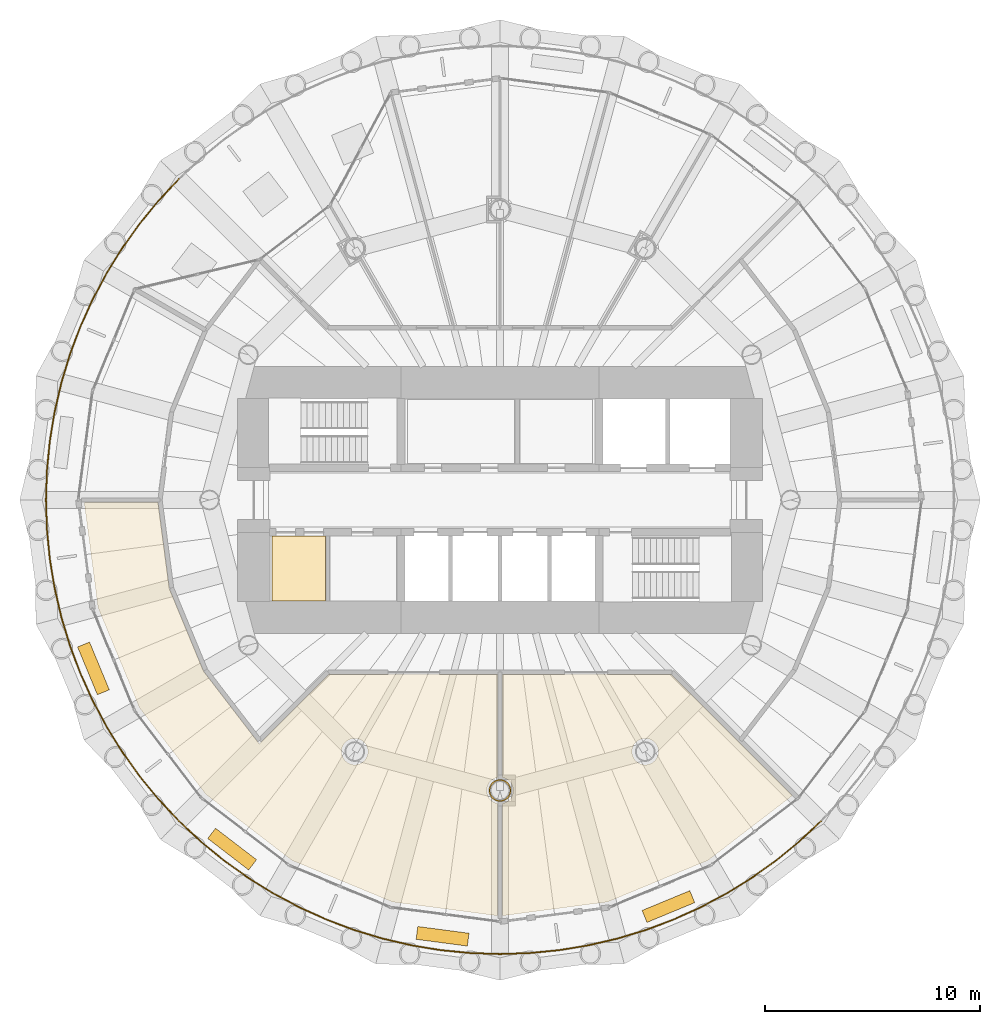
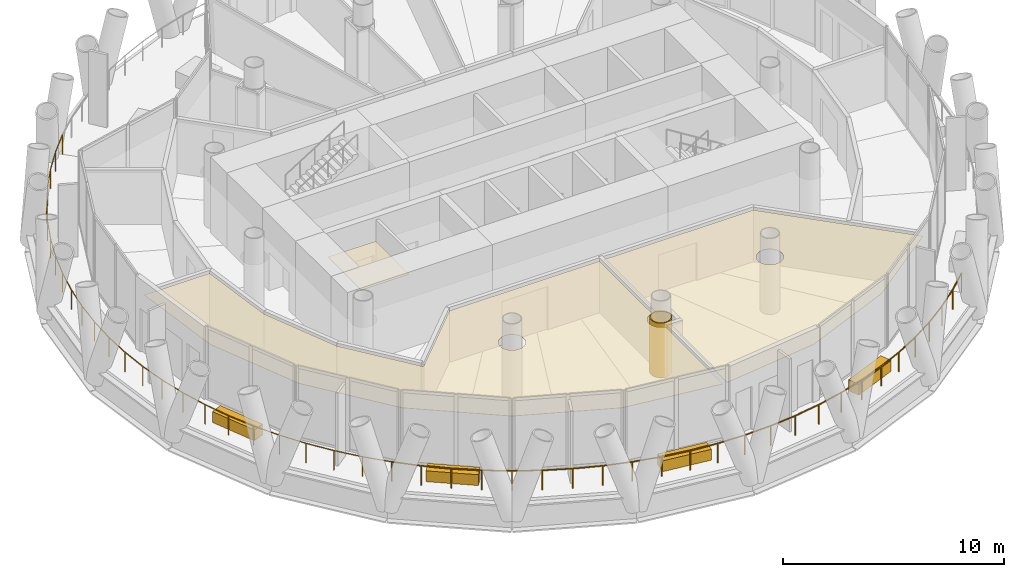
# One storey, part 12 of 14: 8 coverings, 2 railings.
"""IFC4 building model written with IfcOpenShell, lengths in metres."""

from ifc_helpers import new_model, si_unit, direction, frame, origin, origin_2d, place, context, subcontext, project, spatial, polyline, rectangle, circle, outline, extrude, material, layer, layer_set, type_object, element, save


model = new_model("IFC4")

# Units and contexts
model_context = context("Model", 3, precision=1e-05, world=origin(), true_north=direction((0.0, 1.0)))
body_context = subcontext(model_context, "Body", "Model", "MODEL_VIEW")
ifc_project = project(units=[si_unit("LENGTHUNIT", "METRE"), si_unit("AREAUNIT", "SQUARE_METRE"), si_unit("VOLUMEUNIT", "CUBIC_METRE"), si_unit("PLANEANGLEUNIT", "RADIAN"), si_unit("MASSUNIT", "GRAM", prefix="KILO")], contexts=[model_context])

# Site, building, storey
site_placement = place(None, origin())
site = spatial("IfcSite", under=ifc_project, at=site_placement, CompositionType="ELEMENT")
building_placement = place(site_placement, origin())
building = spatial("IfcBuilding", under=site, at=building_placement, Name="Qaws Media Tower", CompositionType="ELEMENT")
storey_placement = place(building_placement, frame((0.0, 0.0, 261.199951171875)))
storey = spatial("IfcBuildingStorey", under=building, at=storey_placement, Name="L60", CompositionType="ELEMENT", Elevation=261.199951171875)

# Railings
ifc_material_1 = material(Name="Stainless steel and glass guard", Category="steel")
railing_type = type_object("IfcRailingType", Name="Balcony guard 1100", PredefinedType="GUARDRAIL", material=ifc_material_1)
railing_1_placement = place(storey_placement, frame((45.080078125, 64.919921875, 0.0)))
element("IfcRailing", 1, at=railing_1_placement, inside=storey, type_object=railing_type, Name="GR1 balcony guard L60-2", PredefinedType="GUARDRAIL", context=body_context, shape_type="SweptSolid", body=[
    extrude(circle(Radius=0.02392578125, at=origin_2d()), frame((0.0, 0.0, 1.076171875), z_axis=(-0.683564617913, -0.72989000071, 0.0), x_axis=(0.72989000071, -0.683564617913, 0.0)), (0.0, 0.0, 1.0), 1.380859375),
    extrude(circle(Radius=0.02392578125, at=origin_2d()), frame((-0.94384765625, -1.0078125, 1.076171875), z_axis=(-0.634479187344, -0.772939946456, 0.0), x_axis=(0.772939946456, -0.634479187344, 0.0)), (0.0, 0.0, 1.0), 1.380615234375),
    extrude(circle(Radius=0.02392578125, at=origin_2d()), frame((-1.81982421875, -2.074951171875, 1.076171875), z_axis=(-0.582374871687, -0.812920358232, 0.0), x_axis=(0.812920358232, -0.582374871687, 0.0)), (0.0, 0.0, 1.0), 1.380859375),
    extrude(circle(Radius=0.02392578125, at=origin_2d()), frame((-2.6240234375, -3.197509765625, 1.076171875), z_axis=(-0.528185738037, -0.849128863091, 0.0), x_axis=(0.849128863091, -0.528185738037, 0.0)), (0.0, 0.0, 1.0), 1.380615234375),
    extrude(circle(Radius=0.02392578125, at=origin_2d()), frame((-3.353271484375, -4.369873046875, 1.076171875), z_axis=(-0.471377271187, -0.881931668673, 0.0), x_axis=(0.881931668673, -0.471377271187, 0.0)), (0.0, 0.0, 1.0), 1.380859375),
    extrude(circle(Radius=0.02392578125, at=origin_2d()), frame((-4.004150390625, -5.587646484375, 1.076171875), z_axis=(-0.412723500138, -0.91085636213, 0.0), x_axis=(0.91085636213, -0.412723500138, 0.0)), (0.0, 0.0, 1.0), 1.380615234375),
    extrude(circle(Radius=0.02392578125, at=origin_2d()), frame((-4.573974609375, -6.84521484375, 1.076171875), z_axis=(-0.352227723901, -0.935914328619, 0.0), x_axis=(0.935914328619, -0.352227723901, 0.0)), (0.0, 0.0, 1.0), 1.380615234375),
    extrude(circle(Radius=0.02392578125, at=origin_2d()), frame((-5.060302734375, -8.137451171875, 1.076171875), z_axis=(-0.290331268033, -0.956926201336, 0.0), x_axis=(0.956926201336, -0.290331268033, 0.0)), (0.0, 0.0, 1.0), 1.380859375),
    extrude(circle(Radius=0.02392578125, at=origin_2d()), frame((-5.461181640625, -9.458740234375, 1.076171875), z_axis=(-0.22702839004, -0.973888140453, 0.0), x_axis=(0.973888140453, -0.22702839004, 0.0)), (0.0, 0.0, 1.0), 1.380859375),
    extrude(circle(Radius=0.02392578125, at=origin_2d()), frame((-5.774658203125, -10.803466796875, 1.076171875), z_axis=(-0.162850422616, -0.986650768942, 0.0), x_axis=(0.986650768942, -0.162850422616, 0.0)), (0.0, 0.0, 1.0), 1.380615234375),
    extrude(circle(Radius=0.02392578125, at=origin_2d()), frame((-5.99951171875, -12.165771484375, 1.076171875), z_axis=(-0.098138043759, -0.995172811308, 0.0), x_axis=(0.995172811308, -0.098138043759, 0.0)), (0.0, 0.0, 1.0), 1.380615234375),
    extrude(circle(Radius=0.02392578125, at=origin_2d()), frame((-6.135009765625, -13.539794921875, 1.076171875), z_axis=(-0.032708475661, -0.999464934663, 0.0), x_axis=(0.999464934663, -0.032708475661, 0.0)), (0.0, 0.0, 1.0), 1.380859375),
    extrude(circle(Radius=0.02392578125, at=origin_2d()), frame((-6.18017578125, -14.919921875, 1.076171875), z_axis=(0.032708475661, -0.999464934663, 0.0), x_axis=(0.999464934663, 0.032708475661, 0.0)), (0.0, 0.0, 1.0), 1.380859375),
    extrude(circle(Radius=0.02392578125, at=origin_2d()), frame((-6.135009765625, -16.300048828125, 1.076171875), z_axis=(0.098138043759, -0.995172811308, 0.0), x_axis=(0.995172811308, 0.098138043759, 0.0)), (0.0, 0.0, 1.0), 1.380615234375),
    extrude(circle(Radius=0.02392578125, at=origin_2d()), frame((-5.99951171875, -17.674072265625, 1.076171875), z_axis=(0.162850422616, -0.986650768942, 0.0), x_axis=(0.986650768942, 0.162850422616, 0.0)), (0.0, 0.0, 1.0), 1.380615234375),
    extrude(circle(Radius=0.02392578125, at=origin_2d()), frame((-5.774658203125, -19.036376953125, 1.076171875), z_axis=(0.22702839004, -0.973888140453, 0.0), x_axis=(0.973888140453, 0.22702839004, 0.0)), (0.0, 0.0, 1.0), 1.380859375),
    extrude(circle(Radius=0.02392578125, at=origin_2d()), frame((-5.461181640625, -20.381103515625, 1.076171875), z_axis=(0.290331268033, -0.956926201336, 0.0), x_axis=(0.956926201336, 0.290331268033, 0.0)), (0.0, 0.0, 1.0), 1.380859375),
    extrude(circle(Radius=0.02392578125, at=origin_2d()), frame((-5.060302734375, -21.702392578125, 1.076171875), z_axis=(0.352227723901, -0.935914328619, 0.0), x_axis=(0.935914328619, 0.352227723901, 0.0)), (0.0, 0.0, 1.0), 1.380615234375),
    extrude(circle(Radius=0.02392578125, at=origin_2d()), frame((-4.573974609375, -22.99462890625, 1.076171875), z_axis=(0.412723500138, -0.91085636213, 0.0), x_axis=(0.91085636213, 0.412723500138, 0.0)), (0.0, 0.0, 1.0), 1.380615234375),
    extrude(circle(Radius=0.02392578125, at=origin_2d()), frame((-4.004150390625, -24.252197265625, 1.076171875), z_axis=(0.471377271187, -0.881931668673, 0.0), x_axis=(0.881931668673, 0.471377271187, 0.0)), (0.0, 0.0, 1.0), 1.380859375),
    extrude(circle(Radius=0.02392578125, at=origin_2d()), frame((-3.353271484375, -25.469970703125, 1.076171875), z_axis=(0.528185738037, -0.849128863091, 0.0), x_axis=(0.849128863091, 0.528185738037, 0.0)), (0.0, 0.0, 1.0), 1.380615234375),
    extrude(circle(Radius=0.02392578125, at=origin_2d()), frame((-2.6240234375, -26.642333984375, 1.076171875), z_axis=(0.582374871687, -0.812920358232, 0.0), x_axis=(0.812920358232, 0.582374871687, 0.0)), (0.0, 0.0, 1.0), 1.380859375),
    extrude(circle(Radius=0.02392578125, at=origin_2d()), frame((-1.81982421875, -27.764892578125, 1.076171875), z_axis=(0.634479187344, -0.772939946456, 0.0), x_axis=(0.772939946456, 0.634479187344, 0.0)), (0.0, 0.0, 1.0), 1.380615234375),
    extrude(circle(Radius=0.02392578125, at=origin_2d()), frame((-0.94384765625, -28.83203125, 1.076171875), z_axis=(0.683564617913, -0.72989000071, 0.0), x_axis=(0.72989000071, 0.683564617913, 0.0)), (0.0, 0.0, 1.0), 1.380859375),
    extrude(circle(Radius=0.02099609375, at=origin_2d()), origin(), (0.0, 0.0, 1.0), 1.052001953125),
    extrude(circle(Radius=0.02099609375, at=origin_2d()), frame((-0.94384765625, -1.0078125, 0.0)), (0.0, 0.0, 1.0), 1.052001953125),
    extrude(circle(Radius=0.02099609375, at=origin_2d()), frame((-1.81982421875, -2.074951171875, 0.0)), (0.0, 0.0, 1.0), 1.052001953125),
    extrude(circle(Radius=0.02099609375, at=origin_2d()), frame((-2.6240234375, -3.197509765625, 0.0)), (0.0, 0.0, 1.0), 1.052001953125),
    extrude(circle(Radius=0.02099609375, at=origin_2d()), frame((-3.353271484375, -4.369873046875, 0.0)), (0.0, 0.0, 1.0), 1.052001953125),
    extrude(circle(Radius=0.02099609375, at=origin_2d()), frame((-4.004150390625, -5.587646484375, 0.0)), (0.0, 0.0, 1.0), 1.052001953125),
    extrude(circle(Radius=0.02099609375, at=origin_2d()), frame((-4.573974609375, -6.84521484375, 0.0)), (0.0, 0.0, 1.0), 1.052001953125),
    extrude(circle(Radius=0.02099609375, at=origin_2d()), frame((-5.060302734375, -8.137451171875, 0.0)), (0.0, 0.0, 1.0), 1.052001953125),
    extrude(circle(Radius=0.02099609375, at=origin_2d()), frame((-5.461181640625, -9.458740234375, 0.0)), (0.0, 0.0, 1.0), 1.052001953125),
    extrude(circle(Radius=0.02099609375, at=origin_2d()), frame((-5.774658203125, -10.803466796875, 0.0)), (0.0, 0.0, 1.0), 1.052001953125),
    extrude(circle(Radius=0.02099609375, at=origin_2d()), frame((-5.99951171875, -12.165771484375, 0.0)), (0.0, 0.0, 1.0), 1.052001953125),
    extrude(circle(Radius=0.02099609375, at=origin_2d()), frame((-6.135009765625, -13.539794921875, 0.0)), (0.0, 0.0, 1.0), 1.052001953125),
    extrude(circle(Radius=0.02099609375, at=origin_2d()), frame((-6.18017578125, -14.919921875, 0.0)), (0.0, 0.0, 1.0), 1.052001953125),
    extrude(circle(Radius=0.02099609375, at=origin_2d()), frame((-6.135009765625, -16.300048828125, 0.0)), (0.0, 0.0, 1.0), 1.052001953125),
    extrude(circle(Radius=0.02099609375, at=origin_2d()), frame((-5.99951171875, -17.674072265625, 0.0)), (0.0, 0.0, 1.0), 1.052001953125),
    extrude(circle(Radius=0.02099609375, at=origin_2d()), frame((-5.774658203125, -19.036376953125, 0.0)), (0.0, 0.0, 1.0), 1.052001953125),
    extrude(circle(Radius=0.02099609375, at=origin_2d()), frame((-5.461181640625, -20.381103515625, 0.0)), (0.0, 0.0, 1.0), 1.052001953125),
    extrude(circle(Radius=0.02099609375, at=origin_2d()), frame((-5.060302734375, -21.702392578125, 0.0)), (0.0, 0.0, 1.0), 1.052001953125),
    extrude(circle(Radius=0.02099609375, at=origin_2d()), frame((-4.573974609375, -22.99462890625, 0.0)), (0.0, 0.0, 1.0), 1.052001953125),
    extrude(circle(Radius=0.02099609375, at=origin_2d()), frame((-4.004150390625, -24.252197265625, 0.0)), (0.0, 0.0, 1.0), 1.052001953125),
    extrude(circle(Radius=0.02099609375, at=origin_2d()), frame((-3.353271484375, -25.469970703125, 0.0)), (0.0, 0.0, 1.0), 1.052001953125),
    extrude(circle(Radius=0.02099609375, at=origin_2d()), frame((-2.6240234375, -26.642333984375, 0.0)), (0.0, 0.0, 1.0), 1.052001953125),
    extrude(circle(Radius=0.02099609375, at=origin_2d()), frame((-1.81982421875, -27.764892578125, 0.0)), (0.0, 0.0, 1.0), 1.052001953125),
    extrude(circle(Radius=0.02099609375, at=origin_2d()), frame((-0.94384765625, -28.83203125, 0.0)), (0.0, 0.0, 1.0), 1.052001953125),
    extrude(circle(Radius=0.02099609375, at=origin_2d()), frame((0.0, -29.83984375, 0.0)), (0.0, 0.0, 1.0), 1.052001953125),
])
railing_2_placement = place(storey_placement, frame((45.080078125, 35.080078125, 0.0)))
element("IfcRailing", 2, at=railing_2_placement, inside=storey, type_object=railing_type, Name="GR1 balcony guard L60-3", PredefinedType="GUARDRAIL", context=body_context, shape_type="SweptSolid", body=[
    extrude(circle(Radius=0.02392578125, at=origin_2d()), frame((0.0, 0.0, 1.076171875), z_axis=(0.72989000071, -0.683564617913, 0.0), x_axis=(0.683564617913, 0.72989000071, 0.0)), (0.0, 0.0, 1.0), 1.380859375),
    extrude(circle(Radius=0.02392578125, at=origin_2d()), frame((1.0078125, -0.94384765625, 1.076171875), z_axis=(0.772939946456, -0.634479187344, 0.0), x_axis=(0.634479187344, 0.772939946456, 0.0)), (0.0, 0.0, 1.0), 1.380615234375),
    extrude(circle(Radius=0.02392578125, at=origin_2d()), frame((2.074951171875, -1.81982421875, 1.076171875), z_axis=(0.812920358232, -0.582374871687, 0.0), x_axis=(0.582374871687, 0.812920358232, 0.0)), (0.0, 0.0, 1.0), 1.380859375),
    extrude(circle(Radius=0.02392578125, at=origin_2d()), frame((3.197509765625, -2.6240234375, 1.076171875), z_axis=(0.849128863091, -0.528185738037, 0.0), x_axis=(0.528185738037, 0.849128863091, 0.0)), (0.0, 0.0, 1.0), 1.380615234375),
    extrude(circle(Radius=0.02392578125, at=origin_2d()), frame((4.369873046875, -3.353271484375, 1.076171875), z_axis=(0.881931668673, -0.471377271187, 0.0), x_axis=(0.471377271187, 0.881931668673, 0.0)), (0.0, 0.0, 1.0), 1.380859375),
    extrude(circle(Radius=0.02392578125, at=origin_2d()), frame((5.587646484375, -4.004150390625, 1.076171875), z_axis=(0.91085636213, -0.412723500138, 0.0), x_axis=(0.412723500138, 0.91085636213, 0.0)), (0.0, 0.0, 1.0), 1.380615234375),
    extrude(circle(Radius=0.02392578125, at=origin_2d()), frame((6.84521484375, -4.573974609375, 1.076171875), z_axis=(0.935914328619, -0.352227723901, 0.0), x_axis=(0.352227723901, 0.935914328619, 0.0)), (0.0, 0.0, 1.0), 1.380615234375),
    extrude(circle(Radius=0.02392578125, at=origin_2d()), frame((8.137451171875, -5.060302734375, 1.076171875), z_axis=(0.956926201336, -0.290331268033, 0.0), x_axis=(0.290331268033, 0.956926201336, 0.0)), (0.0, 0.0, 1.0), 1.380859375),
    extrude(circle(Radius=0.02392578125, at=origin_2d()), frame((9.458740234375, -5.461181640625, 1.076171875), z_axis=(0.973888140453, -0.22702839004, 0.0), x_axis=(0.22702839004, 0.973888140453, 0.0)), (0.0, 0.0, 1.0), 1.380859375),
    extrude(circle(Radius=0.02392578125, at=origin_2d()), frame((10.803466796875, -5.774658203125, 1.076171875), z_axis=(0.986650768942, -0.162850422616, 0.0), x_axis=(0.162850422616, 0.986650768942, 0.0)), (0.0, 0.0, 1.0), 1.380615234375),
    extrude(circle(Radius=0.02392578125, at=origin_2d()), frame((12.165771484375, -5.99951171875, 1.076171875), z_axis=(0.995172811308, -0.098138043759, 0.0), x_axis=(0.098138043759, 0.995172811308, 0.0)), (0.0, 0.0, 1.0), 1.380615234375),
    extrude(circle(Radius=0.02392578125, at=origin_2d()), frame((13.539794921875, -6.135009765625, 1.076171875), z_axis=(0.999464934663, -0.032708475661, 0.0), x_axis=(0.032708475661, 0.999464934663, 0.0)), (0.0, 0.0, 1.0), 1.380859375),
    extrude(circle(Radius=0.02392578125, at=origin_2d()), frame((14.919921875, -6.18017578125, 1.076171875), z_axis=(0.999464934663, 0.032708475661, 0.0), x_axis=(-0.032708475661, 0.999464934663, 0.0)), (0.0, 0.0, 1.0), 1.380859375),
    extrude(circle(Radius=0.02392578125, at=origin_2d()), frame((16.300048828125, -6.135009765625, 1.076171875), z_axis=(0.995172811308, 0.098138043759, 0.0), x_axis=(-0.098138043759, 0.995172811308, 0.0)), (0.0, 0.0, 1.0), 1.380615234375),
    extrude(circle(Radius=0.02392578125, at=origin_2d()), frame((17.674072265625, -5.99951171875, 1.076171875), z_axis=(0.986650768942, 0.162850422616, 0.0), x_axis=(-0.162850422616, 0.986650768942, 0.0)), (0.0, 0.0, 1.0), 1.380615234375),
    extrude(circle(Radius=0.02392578125, at=origin_2d()), frame((19.036376953125, -5.774658203125, 1.076171875), z_axis=(0.973888140453, 0.22702839004, 0.0), x_axis=(-0.22702839004, 0.973888140453, 0.0)), (0.0, 0.0, 1.0), 1.380859375),
    extrude(circle(Radius=0.02392578125, at=origin_2d()), frame((20.381103515625, -5.461181640625, 1.076171875), z_axis=(0.956926201336, 0.290331268033, 0.0), x_axis=(-0.290331268033, 0.956926201336, 0.0)), (0.0, 0.0, 1.0), 1.380859375),
    extrude(circle(Radius=0.02392578125, at=origin_2d()), frame((21.702392578125, -5.060302734375, 1.076171875), z_axis=(0.935914328619, 0.352227723901, 0.0), x_axis=(-0.352227723901, 0.935914328619, 0.0)), (0.0, 0.0, 1.0), 1.380615234375),
    extrude(circle(Radius=0.02392578125, at=origin_2d()), frame((22.99462890625, -4.573974609375, 1.076171875), z_axis=(0.91085636213, 0.412723500138, 0.0), x_axis=(-0.412723500138, 0.91085636213, 0.0)), (0.0, 0.0, 1.0), 1.380615234375),
    extrude(circle(Radius=0.02392578125, at=origin_2d()), frame((24.252197265625, -4.004150390625, 1.076171875), z_axis=(0.881931668673, 0.471377271187, 0.0), x_axis=(-0.471377271187, 0.881931668673, 0.0)), (0.0, 0.0, 1.0), 1.380859375),
    extrude(circle(Radius=0.02392578125, at=origin_2d()), frame((25.469970703125, -3.353271484375, 1.076171875), z_axis=(0.849128863091, 0.528185738037, 0.0), x_axis=(-0.528185738037, 0.849128863091, 0.0)), (0.0, 0.0, 1.0), 1.380615234375),
    extrude(circle(Radius=0.02392578125, at=origin_2d()), frame((26.642333984375, -2.6240234375, 1.076171875), z_axis=(0.812920358232, 0.582374871687, 0.0), x_axis=(-0.582374871687, 0.812920358232, 0.0)), (0.0, 0.0, 1.0), 1.380859375),
    extrude(circle(Radius=0.02392578125, at=origin_2d()), frame((27.764892578125, -1.81982421875, 1.076171875), z_axis=(0.772939946456, 0.634479187344, 0.0), x_axis=(-0.634479187344, 0.772939946456, 0.0)), (0.0, 0.0, 1.0), 1.380615234375),
    extrude(circle(Radius=0.02392578125, at=origin_2d()), frame((28.83203125, -0.94384765625, 1.076171875), z_axis=(0.72989000071, 0.683564617913, 0.0), x_axis=(-0.683564617913, 0.72989000071, 0.0)), (0.0, 0.0, 1.0), 1.380859375),
    extrude(circle(Radius=0.02099609375, at=origin_2d()), origin(), (0.0, 0.0, 1.0), 1.052001953125),
    extrude(circle(Radius=0.02099609375, at=origin_2d()), frame((1.0078125, -0.94384765625, 0.0)), (0.0, 0.0, 1.0), 1.052001953125),
    extrude(circle(Radius=0.02099609375, at=origin_2d()), frame((2.074951171875, -1.81982421875, 0.0)), (0.0, 0.0, 1.0), 1.052001953125),
    extrude(circle(Radius=0.02099609375, at=origin_2d()), frame((3.197509765625, -2.6240234375, 0.0)), (0.0, 0.0, 1.0), 1.052001953125),
    extrude(circle(Radius=0.02099609375, at=origin_2d()), frame((4.369873046875, -3.353271484375, 0.0)), (0.0, 0.0, 1.0), 1.052001953125),
    extrude(circle(Radius=0.02099609375, at=origin_2d()), frame((5.587646484375, -4.004150390625, 0.0)), (0.0, 0.0, 1.0), 1.052001953125),
    extrude(circle(Radius=0.02099609375, at=origin_2d()), frame((6.84521484375, -4.573974609375, 0.0)), (0.0, 0.0, 1.0), 1.052001953125),
    extrude(circle(Radius=0.02099609375, at=origin_2d()), frame((8.137451171875, -5.060302734375, 0.0)), (0.0, 0.0, 1.0), 1.052001953125),
    extrude(circle(Radius=0.02099609375, at=origin_2d()), frame((9.458740234375, -5.461181640625, 0.0)), (0.0, 0.0, 1.0), 1.052001953125),
    extrude(circle(Radius=0.02099609375, at=origin_2d()), frame((10.803466796875, -5.774658203125, 0.0)), (0.0, 0.0, 1.0), 1.052001953125),
    extrude(circle(Radius=0.02099609375, at=origin_2d()), frame((12.165771484375, -5.99951171875, 0.0)), (0.0, 0.0, 1.0), 1.052001953125),
    extrude(circle(Radius=0.02099609375, at=origin_2d()), frame((13.539794921875, -6.135009765625, 0.0)), (0.0, 0.0, 1.0), 1.052001953125),
    extrude(circle(Radius=0.02099609375, at=origin_2d()), frame((14.919921875, -6.18017578125, 0.0)), (0.0, 0.0, 1.0), 1.052001953125),
    extrude(circle(Radius=0.02099609375, at=origin_2d()), frame((16.300048828125, -6.135009765625, 0.0)), (0.0, 0.0, 1.0), 1.052001953125),
    extrude(circle(Radius=0.02099609375, at=origin_2d()), frame((17.674072265625, -5.99951171875, 0.0)), (0.0, 0.0, 1.0), 1.052001953125),
    extrude(circle(Radius=0.02099609375, at=origin_2d()), frame((19.036376953125, -5.774658203125, 0.0)), (0.0, 0.0, 1.0), 1.052001953125),
    extrude(circle(Radius=0.02099609375, at=origin_2d()), frame((20.381103515625, -5.461181640625, 0.0)), (0.0, 0.0, 1.0), 1.052001953125),
    extrude(circle(Radius=0.02099609375, at=origin_2d()), frame((21.702392578125, -5.060302734375, 0.0)), (0.0, 0.0, 1.0), 1.052001953125),
    extrude(circle(Radius=0.02099609375, at=origin_2d()), frame((22.99462890625, -4.573974609375, 0.0)), (0.0, 0.0, 1.0), 1.052001953125),
    extrude(circle(Radius=0.02099609375, at=origin_2d()), frame((24.252197265625, -4.004150390625, 0.0)), (0.0, 0.0, 1.0), 1.052001953125),
    extrude(circle(Radius=0.02099609375, at=origin_2d()), frame((25.469970703125, -3.353271484375, 0.0)), (0.0, 0.0, 1.0), 1.052001953125),
    extrude(circle(Radius=0.02099609375, at=origin_2d()), frame((26.642333984375, -2.6240234375, 0.0)), (0.0, 0.0, 1.0), 1.052001953125),
    extrude(circle(Radius=0.02099609375, at=origin_2d()), frame((27.764892578125, -1.81982421875, 0.0)), (0.0, 0.0, 1.0), 1.052001953125),
    extrude(circle(Radius=0.02099609375, at=origin_2d()), frame((28.83203125, -0.94384765625, 0.0)), (0.0, 0.0, 1.0), 1.052001953125),
    extrude(circle(Radius=0.02099609375, at=origin_2d()), frame((29.83984375, 0.0, 0.0)), (0.0, 0.0, 1.0), 1.052001953125),
])

# Coverings
ifc_material_2 = material(Name="Two layers 15 fire-rated gypsum board on steel framing", Category="steel")
ifc_layer_1 = layer(ifc_material_2, 0.050048828125)
ifc_layer_set_1 = layer_set([ifc_layer_1], Name="Column fire casing")
covering_type_1 = type_object("IfcCoveringType", Name="Column fire casing", PredefinedType="CLADDING", material=ifc_layer_set_1)
covering_1_placement = place(storey_placement, origin())
element("IfcCovering", 3, at=covering_1_placement, inside=storey, type_object=covering_type_1, Name="CC1 column casing L60", PredefinedType="CLADDING", context=body_context, shape_type="SweptSolid", body=[
    extrude(outline(polyline([(60.511962890625, 36.5), (60.507568359375, 36.43310546875), (60.49462890625, 36.367431640625), (60.472900390625, 36.30419921875), (60.443359375, 36.243896484375), (60.40625, 36.188232421875), (60.362060546875, 36.137939453125), (60.311767578125, 36.09375), (60.256103515625, 36.056640625), (60.19580078125, 36.027099609375), (60.132568359375, 36.00537109375), (60.06689453125, 35.992431640625), (60.0, 35.988037109375), (59.93310546875, 35.992431640625), (59.867431640625, 36.00537109375), (59.80419921875, 36.027099609375), (59.743896484375, 36.056640625), (59.688232421875, 36.09375), (59.637939453125, 36.137939453125), (59.59375, 36.188232421875), (59.556640625, 36.243896484375), (59.527099609375, 36.30419921875), (59.50537109375, 36.367431640625), (59.492431640625, 36.43310546875), (59.488037109375, 36.5), (59.492431640625, 36.56689453125), (59.50537109375, 36.632568359375), (59.527099609375, 36.69580078125), (59.556640625, 36.756103515625), (59.59375, 36.811767578125), (59.637939453125, 36.862060546875), (59.688232421875, 36.90625), (59.743896484375, 36.943359375), (59.80419921875, 36.972900390625), (59.867431640625, 36.99462890625), (59.93310546875, 37.007568359375), (60.0, 37.011962890625), (60.06689453125, 37.007568359375), (60.132568359375, 36.99462890625), (60.19580078125, 36.972900390625), (60.256103515625, 36.943359375), (60.311767578125, 36.90625), (60.362060546875, 36.862060546875), (60.40625, 36.811767578125), (60.443359375, 36.756103515625), (60.472900390625, 36.69580078125), (60.49462890625, 36.632568359375), (60.507568359375, 36.56689453125), (60.511962890625, 36.5)]), holes=[polyline([(60.4599609375, 36.5), (60.4560546875, 36.43994140625), (60.4443359375, 36.380859375), (60.425048828125, 36.323974609375), (60.3984375, 36.27001953125), (60.364990234375, 36.219970703125), (60.3251953125, 36.1748046875), (60.280029296875, 36.135009765625), (60.22998046875, 36.1015625), (60.176025390625, 36.074951171875), (60.119140625, 36.0556640625), (60.06005859375, 36.0439453125), (60.0, 36.0400390625), (59.93994140625, 36.0439453125), (59.880859375, 36.0556640625), (59.823974609375, 36.074951171875), (59.77001953125, 36.1015625), (59.719970703125, 36.135009765625), (59.6748046875, 36.1748046875), (59.635009765625, 36.219970703125), (59.6015625, 36.27001953125), (59.574951171875, 36.323974609375), (59.5556640625, 36.380859375), (59.5439453125, 36.43994140625), (59.5400390625, 36.5), (59.5439453125, 36.56005859375), (59.5556640625, 36.619140625), (59.574951171875, 36.676025390625), (59.6015625, 36.72998046875), (59.635009765625, 36.780029296875), (59.6748046875, 36.8251953125), (59.719970703125, 36.864990234375), (59.77001953125, 36.8984375), (59.823974609375, 36.925048828125), (59.880859375, 36.9443359375), (59.93994140625, 36.9560546875), (60.0, 36.9599609375), (60.06005859375, 36.9560546875), (60.119140625, 36.9443359375), (60.176025390625, 36.925048828125), (60.22998046875, 36.8984375), (60.280029296875, 36.864990234375), (60.3251953125, 36.8251953125), (60.364990234375, 36.780029296875), (60.3984375, 36.72998046875), (60.425048828125, 36.676025390625), (60.4443359375, 36.619140625), (60.4560546875, 36.56005859375), (60.4599609375, 36.5)])]), origin(), (0.0, 0.0, 1.0), 3.02001953125),
])
ifc_material_3 = material(Name="600 x 600 mineral fibre tiles in exposed grid, suspended", Category="mineral fibre")
ifc_layer_2 = layer(ifc_material_3, 0.02001953125)
ifc_layer_set_2 = layer_set([ifc_layer_2], Name="Mineral fibre tile ceiling 20")
covering_type_2 = type_object("IfcCoveringType", Name="Mineral fibre tile ceiling 20", PredefinedType="CEILING", material=ifc_layer_set_2)
covering_2_placement = place(storey_placement, frame((0.0, 0.0, 2.85009765625)))
element("IfcCovering", 4, at=covering_2_placement, inside=storey, type_object=covering_type_2, Name="CL1 ceiling L60-10 Executive lounge", PredefinedType="CEILING", context=body_context, shape_type="SweptSolid", body=[
    extrude(outline(polyline([(54.99560546875, 31.323486328125), (50.33251953125, 33.255126953125), (46.327880859375, 36.327880859375), (43.255126953125, 40.33251953125), (41.323486328125, 44.99560546875), (40.6796875, 49.887451171875), (44.101318359375, 49.887451171875), (44.62890625, 45.88134765625), (46.218505859375, 42.043212890625), (48.816650390625, 38.657470703125), (52.046630859375, 41.887451171875), (59.887451171875, 41.887451171875), (59.887451171875, 37.10546875), (59.84033203125, 37.095947265625), (59.763916015625, 37.070068359375), (59.69140625, 37.0341796875), (59.62451171875, 36.989501953125), (59.563720703125, 36.936279296875), (59.510498046875, 36.87548828125), (59.4658203125, 36.80859375), (59.429931640625, 36.736083984375), (59.404052734375, 36.65966796875), (59.38818359375, 36.58056640625), (59.383056640625, 36.5), (59.38818359375, 36.41943359375), (59.404052734375, 36.34033203125), (59.429931640625, 36.263916015625), (59.4658203125, 36.19140625), (59.510498046875, 36.12451171875), (59.563720703125, 36.063720703125), (59.62451171875, 36.010498046875), (59.69140625, 35.9658203125), (59.763916015625, 35.929931640625), (59.84033203125, 35.904052734375), (59.887451171875, 35.89453125), (59.887451171875, 30.6796875), (54.99560546875, 31.323486328125)]), holes=[polyline([(53.845947265625, 38.14892578125), (53.86181640625, 38.22802734375), (53.866943359375, 38.30859375), (53.86181640625, 38.38916015625), (53.845947265625, 38.46826171875), (53.820068359375, 38.544921875), (53.7841796875, 38.6171875), (53.739501953125, 38.684326171875), (53.686279296875, 38.744873046875), (53.62548828125, 38.798095703125), (53.55859375, 38.843017578125), (53.486083984375, 38.878662109375), (53.40966796875, 38.904541015625), (53.33056640625, 38.92041015625), (53.25, 38.92578125), (53.16943359375, 38.92041015625), (53.09033203125, 38.904541015625), (53.013916015625, 38.878662109375), (52.94140625, 38.843017578125), (52.87451171875, 38.798095703125), (52.813720703125, 38.744873046875), (52.760498046875, 38.684326171875), (52.7158203125, 38.6171875), (52.679931640625, 38.544921875), (52.654052734375, 38.46826171875), (52.63818359375, 38.38916015625), (52.633056640625, 38.30859375), (52.63818359375, 38.22802734375), (52.654052734375, 38.14892578125), (52.679931640625, 38.072509765625), (52.7158203125, 38.000244140625), (52.760498046875, 37.93310546875), (52.813720703125, 37.872314453125), (52.87451171875, 37.819091796875), (52.94140625, 37.7744140625), (53.013916015625, 37.738525390625), (53.09033203125, 37.712646484375), (53.16943359375, 37.697021484375), (53.25, 37.691650390625), (53.33056640625, 37.697021484375), (53.40966796875, 37.712646484375), (53.486083984375, 37.738525390625), (53.55859375, 37.7744140625), (53.62548828125, 37.819091796875), (53.686279296875, 37.872314453125), (53.739501953125, 37.93310546875), (53.7841796875, 38.000244140625), (53.820068359375, 38.072509765625), (53.845947265625, 38.14892578125)])]), origin(), (0.0, 0.0, 1.0), 0.02001953125),
])
covering_3_placement = place(storey_placement, frame((0.0, 0.0, 2.85009765625)))
element("IfcCovering", 5, at=covering_3_placement, inside=storey, type_object=covering_type_2, Name="CL1 ceiling L60-C04 Shower room", PredefinedType="CEILING", context=body_context, shape_type="SweptSolid", body=[
    extrude(outline(polyline([(49.39990234375, 45.300048828125), (49.39990234375, 48.324951171875), (51.89990234375, 48.324951171875), (51.89990234375, 45.300048828125), (49.39990234375, 45.300048828125)])), origin(), (0.0, 0.0, 1.0), 0.02001953125),
])
ifc_material_4 = material(Name="Precast concrete planter with trailing planting", Category="concrete")
ifc_layer_3 = layer(ifc_material_4, 0.60009765625)
ifc_layer_set_3 = layer_set([ifc_layer_3], Name="Planter 2400x600")
covering_type_3 = type_object("IfcCoveringType", Name="Planter 2400x600", PredefinedType="USERDEFINED", material=ifc_layer_set_3)
for number, where, z_axis, x_axis, name in (
    (6, (41.106689453125, 42.174072265625, 0.0), (0.0, 0.0, 1.0), (0.382683432365, -0.923879532511, 0.0), "PL1 balcony planter L60-07"),
    (7, (47.55078125, 33.77587890625, 0.0), (0.0, 0.0, 1.0), (0.793353340291, -0.608761429009, 0.0), "PL1 balcony planter L60-08"),
    (8, (57.330810546875, 29.724853515625, 0.0), (0.0, 0.0, 1.0), (0.991444861374, -0.13052619222, 0.0), "PL1 balcony planter L60-09"),
    (9, (67.825927734375, 31.106689453125, 0.0), (0.0, 0.0, 1.0), (0.923879532511, 0.382683432365, 0.0), "PL1 balcony planter L60-10"),
):
    element("IfcCovering", number, at=place(storey_placement, frame(where, z_axis=z_axis, x_axis=x_axis)), inside=storey, type_object=covering_type_3, Name=name, ObjectType="PLANTER", PredefinedType="USERDEFINED", context=body_context, shape_type="SweptSolid", body=[
        extrude(rectangle(XDim=2.39990234375, YDim=0.60009765625, at=origin_2d()), origin(), (0.0, 0.0, 1.0), 0.60009765625),
    ])
ifc_material_5 = material(Name="Two layers 12.5 moisture-resistant plasterboard on suspended metal furring", Category="gypsum")
ifc_layer_4 = layer(ifc_material_5, 0.02490234375)
ifc_layer_set_4 = layer_set([ifc_layer_4], Name="Plasterboard ceiling 25")
covering_type_4 = type_object("IfcCoveringType", Name="Plasterboard ceiling 25", PredefinedType="CEILING", material=ifc_layer_set_4)
covering_4_placement = place(storey_placement, frame((0.0, 0.0, 2.85009765625)))
element("IfcCovering", 10, at=covering_4_placement, inside=storey, type_object=covering_type_4, Name="CL2 ceiling L60-11 Executive library", PredefinedType="CEILING", context=body_context, shape_type="SweptSolid", body=[
    extrude(outline(polyline([(69.66748046875, 33.255126953125), (65.00439453125, 31.323486328125), (60.112548828125, 30.6796875), (60.112548828125, 35.89453125), (60.15966796875, 35.904052734375), (60.236083984375, 35.929931640625), (60.30859375, 35.9658203125), (60.37548828125, 36.010498046875), (60.436279296875, 36.063720703125), (60.489501953125, 36.12451171875), (60.5341796875, 36.19140625), (60.570068359375, 36.263916015625), (60.595947265625, 36.34033203125), (60.61181640625, 36.41943359375), (60.616943359375, 36.5), (60.61181640625, 36.58056640625), (60.595947265625, 36.65966796875), (60.570068359375, 36.736083984375), (60.5341796875, 36.80859375), (60.489501953125, 36.87548828125), (60.436279296875, 36.936279296875), (60.37548828125, 36.989501953125), (60.30859375, 37.0341796875), (60.236083984375, 37.070068359375), (60.15966796875, 37.095947265625), (60.112548828125, 37.10546875), (60.112548828125, 41.887451171875), (67.953369140625, 41.887451171875), (73.58203125, 36.2587890625), (69.66748046875, 33.255126953125)]), holes=[polyline([(67.320068359375, 38.072509765625), (67.345947265625, 38.14892578125), (67.36181640625, 38.22802734375), (67.366943359375, 38.30859375), (67.36181640625, 38.38916015625), (67.345947265625, 38.46826171875), (67.320068359375, 38.544921875), (67.2841796875, 38.6171875), (67.239501953125, 38.684326171875), (67.186279296875, 38.744873046875), (67.12548828125, 38.798095703125), (67.05859375, 38.843017578125), (66.986083984375, 38.878662109375), (66.90966796875, 38.904541015625), (66.83056640625, 38.92041015625), (66.75, 38.92578125), (66.66943359375, 38.92041015625), (66.59033203125, 38.904541015625), (66.513916015625, 38.878662109375), (66.44140625, 38.843017578125), (66.37451171875, 38.798095703125), (66.313720703125, 38.744873046875), (66.260498046875, 38.684326171875), (66.2158203125, 38.6171875), (66.179931640625, 38.544921875), (66.154052734375, 38.46826171875), (66.13818359375, 38.38916015625), (66.133056640625, 38.30859375), (66.13818359375, 38.22802734375), (66.154052734375, 38.14892578125), (66.179931640625, 38.072509765625), (66.2158203125, 38.000244140625), (66.260498046875, 37.93310546875), (66.313720703125, 37.872314453125), (66.37451171875, 37.819091796875), (66.44140625, 37.7744140625), (66.513916015625, 37.738525390625), (66.59033203125, 37.712646484375), (66.66943359375, 37.697021484375), (66.75, 37.691650390625), (66.83056640625, 37.697021484375), (66.90966796875, 37.712646484375), (66.986083984375, 37.738525390625), (67.05859375, 37.7744140625), (67.12548828125, 37.819091796875), (67.186279296875, 37.872314453125), (67.239501953125, 37.93310546875), (67.2841796875, 38.000244140625), (67.320068359375, 38.072509765625)])]), origin(), (0.0, 0.0, 1.0), 0.02490234375),
])

save(model, "model.ifc")
